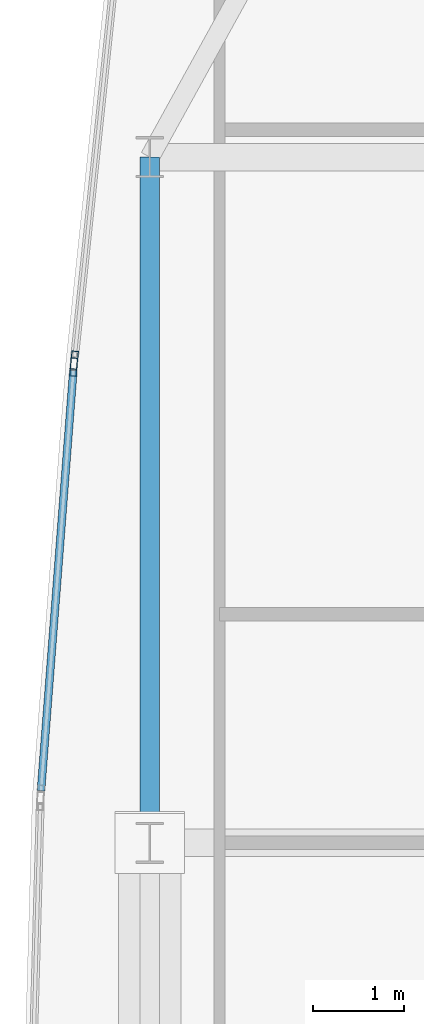
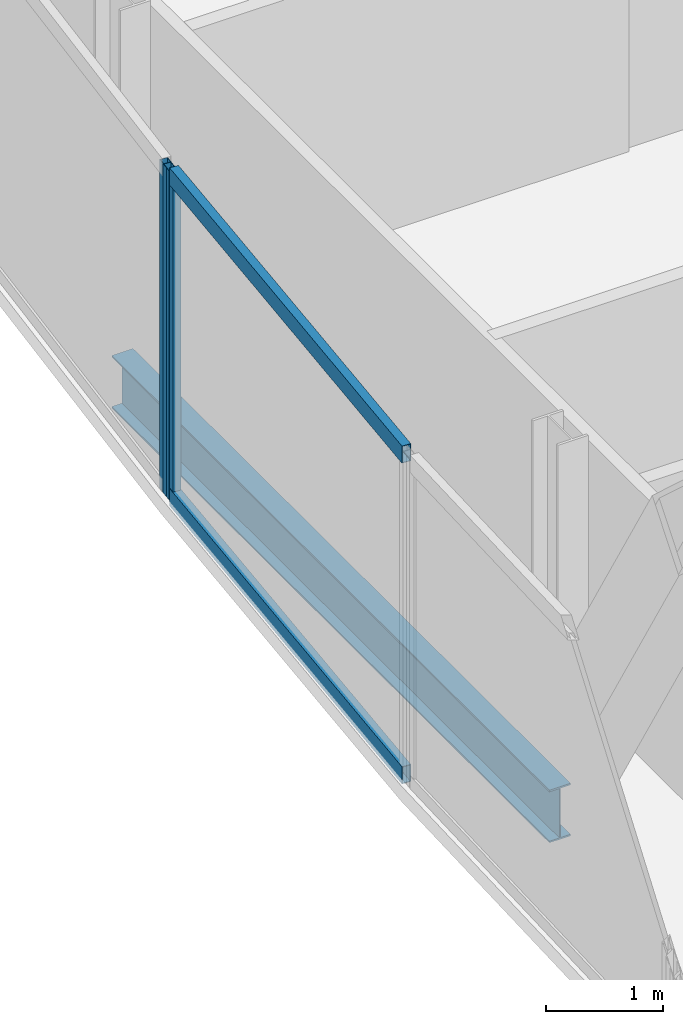
# One storey, part 12 of 30: 4 members, 1 beam, 2 elements without a shape of their own.
"""IFC4 building model written with IfcOpenShell, lengths in metres."""

import ifcopenshell
import ifcopenshell.guid

model = None  # the IFC model being written
_history = None  # IfcOwnerHistory: only IFC2X3 demands one
_inside = {}  # id of a spatial element -> (the spatial element, [elements in it])
_under = {}  # id of a project, library or spatial element -> (it, [spatial elements below it])
_declared = {}  # id of a project -> (the project, [libraries it declares])
_typed = {}  # id of a type object -> (the type object, [elements of that type])
_made_of = {}  # id of a material, layer set ... -> (it, [elements and type objects made of it])


def new_model(schema):
    """Start an empty IFC model of exactly this schema.

    Asked for "IFC4X3", IfcOpenShell would pick the latest addendum, in which some entities
    have other attributes; the version numbers below select the first issue.
    IFC2X3 requires an IfcOwnerHistory on every rooted entity: one is made here for all.
    """
    global model, _history
    if schema == "IFC4X3":
        model = ifcopenshell.file(schema_version=(4, 3, 0, 0))
    else:
        model = ifcopenshell.file(schema=schema)
    _inside.clear()
    _under.clear()
    _declared.clear()
    _typed.clear()
    _made_of.clear()
    _history = None
    if model.schema == "IFC2X3":
        org = make("IfcOrganization", Name="unknown")
        user = make(
            "IfcPersonAndOrganization",
            ThePerson=make("IfcPerson", FamilyName="unknown"),
            TheOrganization=org,
        )
        app = make(
            "IfcApplication",
            ApplicationDeveloper=org,
            Version="unknown",
            ApplicationFullName="unknown",
            ApplicationIdentifier="unknown",
        )
        _history = make(
            "IfcOwnerHistory",
            OwningUser=user,
            OwningApplication=app,
            ChangeAction="ADDED",
            CreationDate=0,
        )
    return model


def make(cls, **values):
    """One entity of the class cls with the attributes given. An attribute that is None is left unset."""
    return model.create_entity(
        cls, **{name: value for name, value in values.items() if value is not None}
    )


def rooted(cls, **values):
    """An entity with a GlobalId (a new one), such as an element, a storey or a relation."""
    return make(cls, GlobalId=ifcopenshell.guid.new(), OwnerHistory=_history, **values)


def si_unit(unit_type, name, prefix=None):
    """IfcSIUnit, for example si_unit("LENGTHUNIT", "METRE", prefix="MILLI")."""
    return make("IfcSIUnit", UnitType=unit_type, Prefix=prefix, Name=name)


def assignment(units):
    """IfcUnitAssignment: the units of a project."""
    return None if units is None else make("IfcUnitAssignment", Units=units)


def point(xyz):
    """IfcCartesianPoint."""
    return None if xyz is None else make("IfcCartesianPoint", Coordinates=xyz)


def direction(xyz):
    """IfcDirection."""
    return None if xyz is None else make("IfcDirection", DirectionRatios=xyz)


def frame(location, z_axis=None, x_axis=None):
    """IfcAxis2Placement3D, a coordinate frame: its origin and axes. An axis left out is left unset."""
    return make(
        "IfcAxis2Placement3D",
        Location=point(location),
        Axis=direction(z_axis),
        RefDirection=direction(x_axis),
    )


def frame_2d(location, x_axis=None):
    """IfcAxis2Placement2D, a coordinate frame in the plane: its origin and x axis."""
    return make(
        "IfcAxis2Placement2D", Location=point(location), RefDirection=direction(x_axis)
    )


def origin():
    """The frame at (0, 0, 0) with its axes left unset."""
    return frame((0.0, 0.0, 0.0))


def origin_2d():
    """The frame at (0, 0) in the plane with its x axis left unset."""
    return frame_2d((0.0, 0.0))


def place(relative_to, where):
    """IfcLocalPlacement: puts the frame where relative to a parent placement (None: the world)."""
    return make(
        "IfcLocalPlacement", PlacementRelTo=relative_to, RelativePlacement=where
    )


def context(
    kind, dimensions, precision=None, world=None, true_north=None, identifier=None
):
    """IfcGeometricRepresentationContext, for example the 3D "Model" context."""
    return make(
        "IfcGeometricRepresentationContext",
        ContextIdentifier=identifier,
        ContextType=kind,
        CoordinateSpaceDimension=dimensions,
        Precision=precision,
        WorldCoordinateSystem=world,
        TrueNorth=true_north,
    )


def subcontext(parent, identifier, kind, view, scale=None):
    """IfcGeometricRepresentationSubContext, for example "Body" below "Model"."""
    return make(
        "IfcGeometricRepresentationSubContext",
        ContextIdentifier=identifier,
        ContextType=kind,
        ParentContext=parent,
        TargetScale=scale,
        TargetView=view,
    )


def project(units=None, contexts=None):
    """IfcProject with its units and contexts."""
    return rooted(
        "IfcProject",
        Name="project",
        RepresentationContexts=contexts,
        UnitsInContext=assignment(units),
    )


def spatial(cls, under=None, at=None, **own):
    """A site, building, storey or space (cls), placed at a placement, below another one or the project."""
    s = rooted(cls, ObjectPlacement=at, **own)
    if under is not None:
        _under.setdefault(under.id(), (under, []))[1].append(s)
    return s


def profile(cls, at=None, kind="AREA", **sizes):
    """A parametric profile (cls). Its sizes go by their IFC names, for example OverallWidth=200.0."""
    return make(cls, ProfileType=kind, Position=at, **sizes)


def hollow_rectangle(**sizes):
    """IfcRectangleHollowProfileDef."""
    return profile("IfcRectangleHollowProfileDef", **sizes)


def i_section(**sizes):
    """IfcIShapeProfileDef."""
    return profile("IfcIShapeProfileDef", **sizes)


def extrude(swept, where, along, depth):
    """IfcExtrudedAreaSolid: the profile swept, set in the frame where, extruded along a direction by depth."""
    return make(
        "IfcExtrudedAreaSolid",
        SweptArea=swept,
        Position=where,
        ExtrudedDirection=direction(along),
        Depth=depth,
    )


def shape(context_of_items, identifier, shape_type, items):
    """IfcShapeRepresentation: the items that make up one representation, for example the "Body"."""
    return make(
        "IfcShapeRepresentation",
        ContextOfItems=context_of_items,
        RepresentationIdentifier=identifier,
        RepresentationType=shape_type,
        Items=items,
    )


def material(Name=None, Category=None):
    """IfcMaterial."""
    return make("IfcMaterial", Name=Name, Category=Category)


def material_profile(
    of_material, cross_section, Name=None, Category=None, Priority=None
):
    """IfcMaterialProfile: a cross section and its material."""
    return make(
        "IfcMaterialProfile",
        Name=Name,
        Material=of_material,
        Profile=cross_section,
        Priority=Priority,
        Category=Category,
    )


def profile_set(profiles, Name=None, composite=None):
    """IfcMaterialProfileSet."""
    return make(
        "IfcMaterialProfileSet",
        Name=Name,
        MaterialProfiles=profiles,
        CompositeProfile=composite,
    )


def made_of(thing, what):
    """Note that an element or type object is made of a material, layer set ...; save() writes the relation."""
    if what is not None:
        _made_of.setdefault(what.id(), (what, []))[1].append(thing)
    return thing


def type_object(cls, material=None, **own):
    """A type object (cls), such as IfcWallType, which elements share."""
    return made_of(rooted(cls, **own), material)


def element(
    cls,
    number,
    at=None,
    inside=None,
    cuts=None,
    type_object=None,
    material=None,
    context=None,
    identifier="Body",
    shape_type=None,
    held_by="IfcProductDefinitionShape",
    body=None,
    shapes=None,
    **own,
):
    """One element of the class cls, such as IfcWall. Its Tag is "e" and its number.

    at: its placement. inside: the storey or other place that contains it. cuts: it is an
    opening in that element (IfcRelVoidsElement). A single representation is given by context,
    identifier, shape_type and body (its items); several are given by shapes. held_by: the class
    of the entity that holds the representations. save() writes the other relations.
    """
    e = rooted(cls, Tag="e%d" % number, ObjectPlacement=at, **own)
    if body is not None:
        shapes = [shape(context, identifier, shape_type, body)]
    if shapes is not None:
        e.Representation = make(held_by, Representations=shapes)
    if inside is not None:
        _inside.setdefault(inside.id(), (inside, []))[1].append(e)
    if cuts is not None:
        rooted(
            "IfcRelVoidsElement", RelatingBuildingElement=cuts, RelatedOpeningElement=e
        )
    if type_object is not None:
        _typed.setdefault(type_object.id(), (type_object, []))[1].append(e)
    return made_of(e, material)


def aggregate(whole, parts):
    """IfcRelAggregates: a whole, such as a stair, and the parts it consists of."""
    return rooted("IfcRelAggregates", RelatingObject=whole, RelatedObjects=parts)


def save(model, path):
    """Write the relations noted so far, then the file.

    IfcRelAggregates (storeys below a building ...), IfcRelContainedInSpatialStructure (elements
    in a storey), IfcRelDefinesByType, IfcRelAssociatesMaterial and IfcRelDeclares: one each for
    every whole, place, type object, material and project.
    """
    for whole, parts in _under.values():
        aggregate(whole, parts)
    for where, things in _inside.values():
        rooted(
            "IfcRelContainedInSpatialStructure",
            RelatedElements=things,
            RelatingStructure=where,
        )
    for kind, things in _typed.values():
        rooted("IfcRelDefinesByType", RelatedObjects=things, RelatingType=kind)
    for what, things in _made_of.values():
        rooted("IfcRelAssociatesMaterial", RelatedObjects=things, RelatingMaterial=what)
    for by, libraries in _declared.values():
        rooted("IfcRelDeclares", RelatingContext=by, RelatedDefinitions=libraries)
    model.write(path)


model = new_model("IFC4")

# Units and contexts
model_context = context("Model", 3, precision=1e-05, world=origin(), true_north=direction((0.0, 1.0)))
body_context = subcontext(model_context, "Body", "Model", "MODEL_VIEW")
ifc_project = project(units=[si_unit("LENGTHUNIT", "METRE"), si_unit("AREAUNIT", "SQUARE_METRE"), si_unit("VOLUMEUNIT", "CUBIC_METRE"), si_unit("PLANEANGLEUNIT", "RADIAN"), si_unit("MASSUNIT", "GRAM", prefix="KILO")], contexts=[model_context])

# Site, building, storey
site_placement = place(None, origin())
site = spatial("IfcSite", under=ifc_project, at=site_placement, CompositionType="ELEMENT")
building_placement = place(site_placement, origin())
building = spatial("IfcBuilding", under=site, at=building_placement, Name="Khoronbel Lancet Exchange", CompositionType="ELEMENT")
storey_placement = place(building_placement, frame((0.0, 0.0, 284.199951171875)))
storey = spatial("IfcBuildingStorey", under=building, at=storey_placement, Name="L73", CompositionType="ELEMENT", Elevation=284.199951171875)

# Beam
ifc_material_1 = material(Name="Steel S355", Category="steel")
ifc_material_profile_1 = material_profile(ifc_material_1, i_section(OverallWidth=0.2099609375, OverallDepth=0.550048828125, WebThickness=0.010986328125, FlangeThickness=0.01708984375, at=origin_2d()), Name="IPE 550")
ifc_profile_set_1 = profile_set([ifc_material_profile_1], Name="Steel S355")
beam_type = type_object("IfcBeamType", Name="BM-BSP3", PredefinedType="SPANDREL", material=ifc_profile_set_1)
beam_placement = place(storey_placement, frame((9.27001953125, 43.199951171875, -0.43505859375), z_axis=(0.0, -1.0, 0.0), x_axis=(1.0, 0.0, 0.0)))
element("IfcBeam", 1, at=beam_placement, inside=storey, type_object=beam_type, Name="Level L73 perimeter spandrel beam SP17", PredefinedType="SPANDREL", context=body_context, shape_type="SweptSolid", body=[
    extrude(i_section(OverallWidth=0.2099609375, OverallDepth=0.550048828125, WebThickness=0.010986328125, FlangeThickness=0.01708984375, at=origin_2d()), origin(), (0.0, 0.0, 1.0), 7.5),
])

# Curtain wall, member
ifc_material_2 = material(Name="Low-E Solar Control Insulating Glass", Category="glass")
curtain_wall_type = type_object("IfcCurtainWallType", Name="CW-4", PredefinedType="NOTDEFINED", material=ifc_material_2)
curtain_wall_1_placement = place(storey_placement, origin())
curtain_wall_1 = element("IfcCurtainWall", 2, at=curtain_wall_1_placement, inside=storey, type_object=curtain_wall_type, Name="Unitised curtain wall CW-L73-E08", PredefinedType="NOTDEFINED")
ifc_material_3 = material(Name="Bronze-Anodised Aluminium 6063-T6", Category="aluminium")
ifc_material_profile_2 = material_profile(ifc_material_3, hollow_rectangle(XDim=0.074951171875, YDim=0.199951171875, WallThickness=0.0048828125, at=origin_2d()), Name="ALU MULLION 75x200")
ifc_profile_set_2 = profile_set([ifc_material_profile_2], Name="Bronze-Anodised Aluminium 6063-T6")
member_type_1 = type_object("IfcMemberType", Name="MEM-CWM2", PredefinedType="MULLION", material=ifc_profile_set_2)
member_1_placement = place(storey_placement, frame((8.436767578125, 40.904296875, 0.0), z_axis=(0.0, 0.0, 1.0), x_axis=(-0.997045087155, 0.076818579658, 0.0)))
member_1 = element("IfcMember", 3, at=member_1_placement, type_object=member_type_1, Name="CW4 mullion 2", PredefinedType="MULLION", context=body_context, shape_type="SweptSolid", body=[
    extrude(hollow_rectangle(XDim=0.074951171875, YDim=0.199951171875, WallThickness=0.0048828125, at=origin_2d()), origin(), (0.0, 0.0, 1.0), 3.43994140625),
])

curtain_wall_2_placement = place(storey_placement, origin())
curtain_wall_2 = element("IfcCurtainWall", 4, at=curtain_wall_2_placement, inside=storey, type_object=curtain_wall_type, Name="Unitised curtain wall CW-L73-E09", PredefinedType="NOTDEFINED")
member_2_placement = place(storey_placement, frame((8.443603515625, 40.97900390625, 0.0), z_axis=(0.0, 0.0, 1.0), x_axis=(-0.994504765069, 0.104691318907, 0.0)))
member_2 = element("IfcMember", 5, at=member_2_placement, type_object=member_type_1, Name="CW4 mullion 1", PredefinedType="MULLION", context=body_context, shape_type="SweptSolid", body=[
    extrude(hollow_rectangle(XDim=0.074951171875, YDim=0.199951171875, WallThickness=0.0048828125, at=origin_2d()), origin(), (0.0, 0.0, 1.0), 3.43994140625),
])
aggregate(curtain_wall_2, [member_2])

# Member
ifc_material_profile_3 = material_profile(ifc_material_3, hollow_rectangle(XDim=0.0849609375, YDim=0.179931640625, WallThickness=0.0048828125, at=origin_2d()), Name="ALU TRANSOM 85x180")
ifc_profile_set_3 = profile_set([ifc_material_profile_3], Name="Bronze-Anodised Aluminium 6063-T6")
member_type_2 = type_object("IfcMemberType", Name="MEM-CWT1", PredefinedType="USERDEFINED", material=ifc_profile_set_3)
member_3_placement = place(storey_placement, frame((8.07958984375, 36.27001953125, 0.04248046875), z_axis=(0.076834174828, 0.997043885483, 0.0), x_axis=(-0.997043885483, 0.076834174828, 0.0)))
member_3 = element("IfcMember", 6, at=member_3_placement, type_object=member_type_2, Name="CW4 transom 1.1", ObjectType="TRANSOM", PredefinedType="USERDEFINED", context=body_context, shape_type="SweptSolid", body=[
    extrude(hollow_rectangle(XDim=0.0849609375, YDim=0.179931640625, WallThickness=0.0048828125, at=origin_2d()), origin(), (0.0, 0.0, 1.0), 4.610595703125),
])

member_4_placement = place(storey_placement, frame((8.07958984375, 36.27001953125, 3.3974609375), z_axis=(0.076834174828, 0.997043885483, 0.0), x_axis=(-0.997043885483, 0.076834174828, 0.0)))
member_4 = element("IfcMember", 7, at=member_4_placement, type_object=member_type_2, Name="CW4 transom 1.2", ObjectType="TRANSOM", PredefinedType="USERDEFINED", context=body_context, shape_type="SweptSolid", body=[
    extrude(hollow_rectangle(XDim=0.0849609375, YDim=0.179931640625, WallThickness=0.0048828125, at=origin_2d()), origin(), (0.0, 0.0, 1.0), 4.610595703125),
])

aggregate(curtain_wall_1, [member_1, member_3, member_4])

save(model, "model.ifc")
